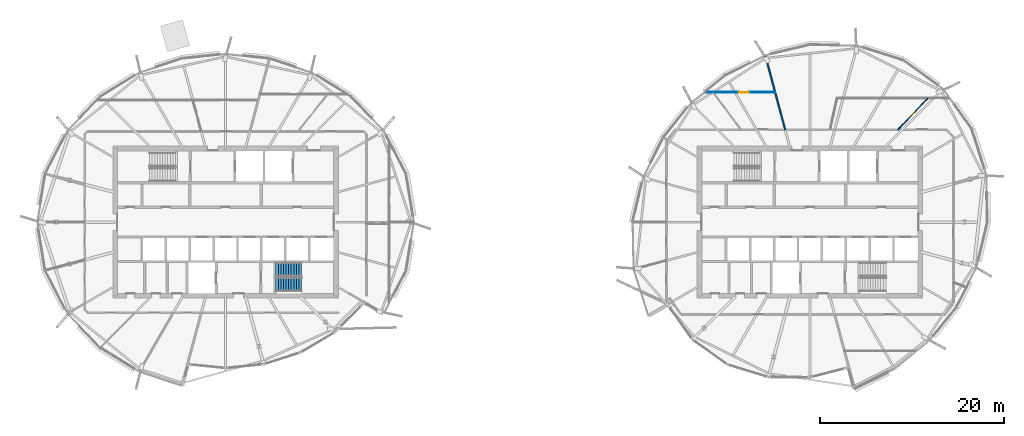
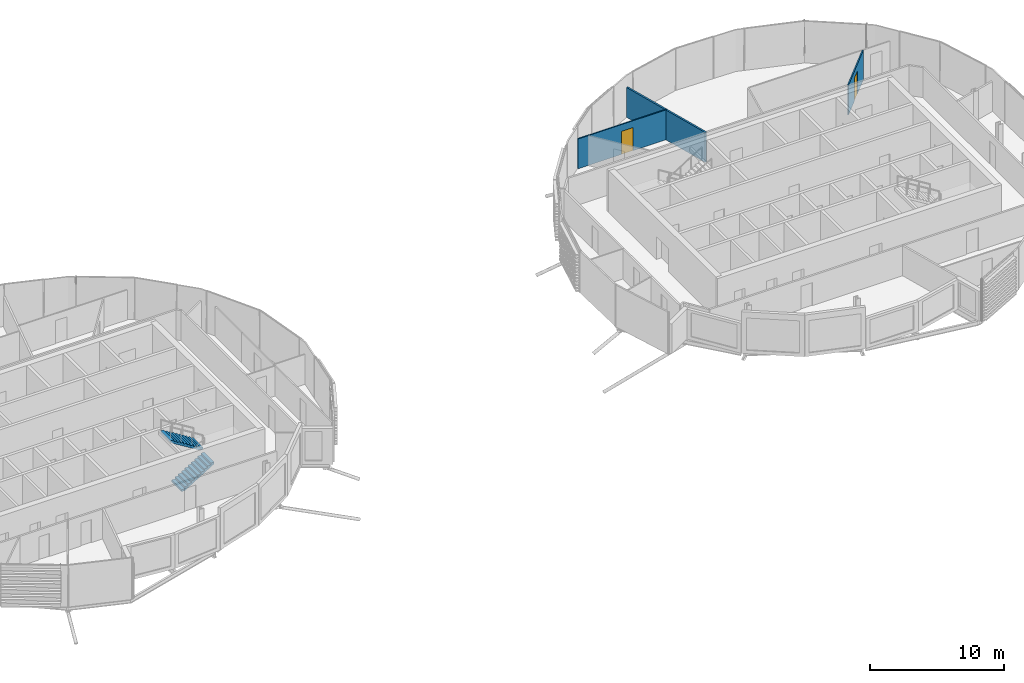
# One storey, part 21 of 33: 3 walls, 2 doors, 2 stair flights, 2 openings, 1 element without a shape of its own.
"""IFC4 building model written with IfcOpenShell, lengths in metres."""

from ifc_helpers import new_model, si_unit, direction, frame, frame_2d, origin, place, context, subcontext, project, spatial, polyline, rectangle, outline, extrude, material, layer, layer_set, type_object, element, fill, aggregate, save


model = new_model("IFC4")

# Units and contexts
model_context = context("Model", 3, precision=1e-05, world=origin(), true_north=direction((0.0, 1.0)))
body_context = subcontext(model_context, "Body", "Model", "MODEL_VIEW")
ifc_project = project(units=[si_unit("LENGTHUNIT", "METRE"), si_unit("AREAUNIT", "SQUARE_METRE"), si_unit("VOLUMEUNIT", "CUBIC_METRE"), si_unit("PLANEANGLEUNIT", "RADIAN"), si_unit("MASSUNIT", "GRAM", prefix="KILO")], contexts=[model_context])

# Site, building, storey
site_placement = place(None, origin())
site = spatial("IfcSite", under=ifc_project, at=site_placement, CompositionType="ELEMENT")
building_placement = place(site_placement, origin())
building = spatial("IfcBuilding", under=site, at=building_placement, Name="Rimbun Link Towers", CompositionType="ELEMENT")
storey_placement = place(building_placement, frame((0.0, 0.0, 237.10009765625)))
storey = spatial("IfcBuildingStorey", under=building, at=storey_placement, Name="L58", CompositionType="ELEMENT", Elevation=237.10009765625)

# Wall, opening, door
ifc_material_1 = material(Name="Plasterboard on steel stud", Category="steel")
ifc_layer_1 = layer(ifc_material_1, 0.10009765625)
ifc_layer_set_1 = layer_set([ifc_layer_1], Name="Plasterboard partition 100 mm")
wall_type_1 = type_object("IfcWallType", Name="Plasterboard partition 100 mm", PredefinedType="PARTITIONING", material=ifc_layer_set_1)
wall_1_placement = place(storey_placement, frame((41.3076171875, 10.044921875, 0.0), z_axis=(0.0, 0.0, 1.0), x_axis=(0.689305141444, 0.724471132605, 0.0)))
wall_1 = element("IfcWall", 1, at=wall_1_placement, inside=storey, type_object=wall_type_1, Name="Plasterboard partition 100 mm", PredefinedType="PARTITIONING", context=body_context, shape_type="SweptSolid", body=[
    extrude(rectangle(XDim=4.720947265625, YDim=0.10009765625, at=frame_2d((2.3603515625, 0.0))), origin(), (0.0, 0.0, 1.0), 2.721923828125),
])
opening_1_placement = place(wall_1_placement, frame((1.910400390625, 0.0, 0.0)))
opening_1 = element("IfcOpeningElement", 2, at=opening_1_placement, cuts=wall_1, Name="Opening D04", PredefinedType="OPENING", context=body_context, shape_type="SweptSolid", body=[
    extrude(rectangle(XDim=0.89990234375, YDim=2.10009765625, at=frame_2d((0.449951171875, 1.050048828125))), frame((0.0, 0.06005859375, 0.0), z_axis=(0.0, -1.0, 0.0), x_axis=(1.0, 0.0, 0.0)), (0.0, 0.0, 1.0), 0.1201171875),
])
ifc_material_2 = material(Name="Timber door leaf", Category="wood")
door_type_1 = type_object("IfcDoorType", Name="Flush door 900", OperationType="NOTDEFINED", PredefinedType="DOOR", material=ifc_material_2)
door_1_placement = place(opening_1_placement, origin())
door_1 = element("IfcDoor", 3, at=door_1_placement, inside=storey, type_object=door_type_1, Name="Flush door 900 to Meeting room", OperationType="SINGLE_SWING_LEFT", OverallHeight=2.10009765625, OverallWidth=0.89990234375, PredefinedType="DOOR", context=body_context, shape_type="SweptSolid", body=[
    extrude(rectangle(XDim=0.89990234375, YDim=2.10009765625, at=frame_2d((0.449951171875, 1.050048828125))), frame((0.0, 0.02490234375, 0.0), z_axis=(0.0, -1.0, 0.0), x_axis=(1.0, 0.0, 0.0)), (0.0, 0.0, 1.0), 0.050048828125),
])
fill(opening_1, door_1)

wall_2_placement = place(storey_placement, frame((20.336669921875, 14.094970703125, 0.0), z_axis=(0.0, 0.0, 1.0), x_axis=(1.0, 0.0, 0.0)))
wall_2 = element("IfcWall", 4, at=wall_2_placement, inside=storey, type_object=wall_type_1, Name="Plasterboard partition 100 mm", PredefinedType="PARTITIONING", context=body_context, shape_type="SweptSolid", body=[
    extrude(rectangle(XDim=7.63671875, YDim=0.10009765625, at=frame_2d((3.818359375, 0.0))), origin(), (0.0, 0.0, 1.0), 2.721923828125),
])
opening_2_placement = place(wall_2_placement, frame((3.7548828125, 0.0, 0.0)))
opening_2 = element("IfcOpeningElement", 5, at=opening_2_placement, cuts=wall_2, Name="Opening D03", PredefinedType="OPENING", context=body_context, shape_type="SweptSolid", body=[
    extrude(rectangle(XDim=1.0, YDim=2.10009765625, at=frame_2d((0.5, 1.050048828125))), frame((0.0, 0.06005859375, 0.0), z_axis=(0.0, -1.0, 0.0), x_axis=(1.0, 0.0, 0.0)), (0.0, 0.0, 1.0), 0.1201171875),
])
ifc_material_3 = material(Name="Timber door leaf", Category="wood")
door_type_2 = type_object("IfcDoorType", Name="Flush door 1000", OperationType="NOTDEFINED", PredefinedType="DOOR", material=ifc_material_3)
door_2_placement = place(opening_2_placement, origin())
door_2 = element("IfcDoor", 6, at=door_2_placement, inside=storey, type_object=door_type_2, Name="Flush door 1000 to Boardroom", OperationType="SINGLE_SWING_RIGHT", OverallHeight=2.10009765625, OverallWidth=1.0, PredefinedType="DOOR", context=body_context, shape_type="SweptSolid", body=[
    extrude(rectangle(XDim=1.0, YDim=2.10009765625, at=frame_2d((0.5, 1.050048828125))), frame((0.0, 0.02490234375, 0.0), z_axis=(0.0, -1.0, 0.0), x_axis=(1.0, 0.0, 0.0)), (0.0, 0.0, 1.0), 0.050048828125),
])
fill(opening_2, door_2)

# Wall
ifc_material_4 = material(Name="Plasterboard on steel stud, mineral wool", Category="steel")
ifc_layer_2 = layer(ifc_material_4, 0.14990234375)
ifc_layer_set_2 = layer_set([ifc_layer_2], Name="Tenancy separation wall EI 60 150 mm")
wall_type_2 = type_object("IfcWallType", Name="Tenancy separation wall EI 60 150 mm", PredefinedType="PARTITIONING", material=ifc_layer_set_2)
wall_3_placement = place(storey_placement, frame((29.05859375, 10.044921875, 0.0), z_axis=(0.0, 0.0, 1.0), x_axis=(-0.258840735474, 0.965920014111, 0.0)))
element("IfcWall", 7, at=wall_3_placement, inside=storey, type_object=wall_type_2, Name="Tenancy separation wall EI 60 150 mm", PredefinedType="PARTITIONING", context=body_context, shape_type="SweptSolid", body=[
    extrude(rectangle(XDim=8.318115234375, YDim=0.14990234375, at=frame_2d((4.1591796875, 0.0))), origin(), (0.0, 0.0, 1.0), 2.721923828125),
])

# Stair, stair flights
ifc_material_5 = material(Name="Concrete C40/50", Category="concrete")
stair_type = type_object("IfcStairType", Name="Exit stair 3800 rise", PredefinedType="HALF_TURN_STAIR", material=ifc_material_5)
stair_placement = place(storey_placement, origin())
stair = element("IfcStair", 8, at=stair_placement, inside=storey, type_object=stair_type, Name="L58 EXIT STAIR B", PredefinedType="HALF_TURN_STAIR")
ifc_material_6 = material(Name="Concrete C40/50", Category="concrete")
stair_flight_type = type_object("IfcStairFlightType", Name="Exit stair flight 3800 rise", PredefinedType="STRAIGHT", material=ifc_material_6)
stair_flight_1_placement = place(storey_placement, frame((-26.300048828125, -6.800048828125, 0.0), z_axis=(0.0, 0.0, 1.0), x_axis=(1.0, 0.0, 0.0)))
stair_flight_1 = element("IfcStairFlight", 9, at=stair_flight_1_placement, type_object=stair_flight_type, Name="ST2 flight 1", NumberOfRisers=11, NumberOfTreads=10, PredefinedType="STRAIGHT", RiserHeight=0.172727273, TreadLength=0.28, context=body_context, shape_type="SweptSolid", body=[
    extrude(outline(polyline([(0.0, 0.0), (0.0, 0.172607421875), (0.280029296875, 0.172607421875), (0.280029296875, 0.345458984375), (0.56005859375, 0.345458984375), (0.56005859375, 0.51806640625), (0.840087890625, 0.51806640625), (0.840087890625, 0.69091796875), (1.1201171875, 0.69091796875), (1.1201171875, 0.863525390625), (1.39990234375, 0.863525390625), (1.39990234375, 1.036376953125), (1.679931640625, 1.036376953125), (1.679931640625, 1.208984375), (1.9599609375, 1.208984375), (1.9599609375, 1.3818359375), (2.239990234375, 1.3818359375), (2.239990234375, 1.554443359375), (2.52001953125, 1.554443359375), (2.52001953125, 1.727294921875), (2.800048828125, 1.727294921875), (2.800048828125, 1.89990234375), (2.800048828125, 1.551025390625), (0.280029296875, 0.0), (0.0, 0.0)])), frame((0.0, 0.75, 0.0), z_axis=(0.0, -1.0, 0.0), x_axis=(1.0, 0.0, 0.0)), (0.0, 0.0, 1.0), 1.5),
])
stair_flight_2_placement = place(storey_placement, frame((-23.5, -5.14990234375, 1.89990234375), z_axis=(0.0, 0.0, 1.0), x_axis=(-1.0, 0.0, 0.0)))
stair_flight_2 = element("IfcStairFlight", 10, at=stair_flight_2_placement, type_object=stair_flight_type, Name="ST2 flight 2", NumberOfRisers=11, NumberOfTreads=10, PredefinedType="STRAIGHT", RiserHeight=0.172727273, TreadLength=0.28, context=body_context, shape_type="SweptSolid", body=[
    extrude(outline(polyline([(0.0, 0.0), (0.0, 0.172607421875), (0.280029296875, 0.172607421875), (0.280029296875, 0.345458984375), (0.56005859375, 0.345458984375), (0.56005859375, 0.51806640625), (0.840087890625, 0.51806640625), (0.840087890625, 0.69091796875), (1.1201171875, 0.69091796875), (1.1201171875, 0.863525390625), (1.39990234375, 0.863525390625), (1.39990234375, 1.036376953125), (1.679931640625, 1.036376953125), (1.679931640625, 1.208984375), (1.9599609375, 1.208984375), (1.9599609375, 1.3818359375), (2.239990234375, 1.3818359375), (2.239990234375, 1.554443359375), (2.52001953125, 1.554443359375), (2.52001953125, 1.727294921875), (2.800048828125, 1.727294921875), (2.800048828125, 1.89990234375), (2.800048828125, 1.551025390625), (0.280029296875, 0.0), (0.0, 0.0)])), frame((0.0, 0.75, 0.0), z_axis=(0.0, -1.0, 0.0), x_axis=(1.0, 0.0, 0.0)), (0.0, 0.0, 1.0), 1.5),
])
aggregate(stair, [stair_flight_1, stair_flight_2])

save(model, "model.ifc")
